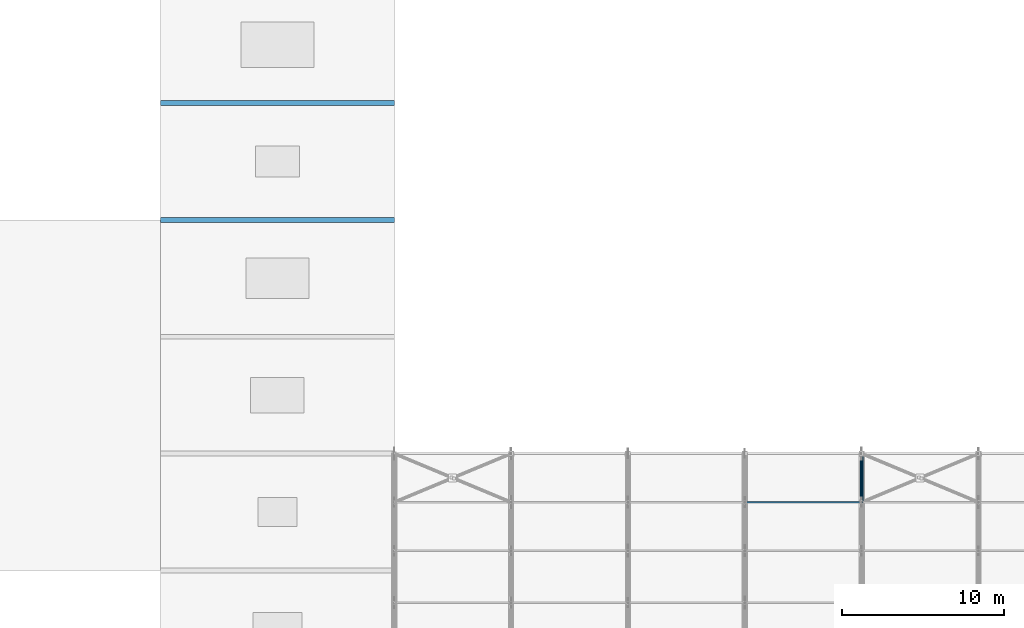
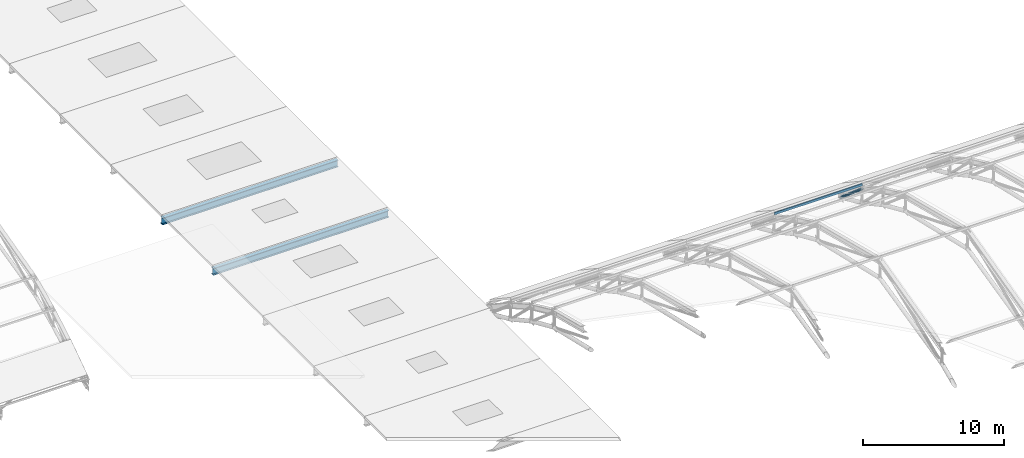
# One storey, part 24 of 63: 2 beams, 2 members.
"""IFC4 building model written with IfcOpenShell, lengths in metres."""

from ifc_helpers import new_model, si_unit, direction, frame, origin, origin_2d, place, context, subcontext, project, spatial, hollow_rectangle, hollow_circle, i_section, extrude, material, material_profile, profile_set, type_object, element, save


model = new_model("IFC4")

# Units and contexts
model_context = context("Model", 3, precision=1e-05, world=origin(), true_north=direction((0.0, 1.0)))
body_context = subcontext(model_context, "Body", "Model", "MODEL_VIEW")
ifc_project = project(units=[si_unit("LENGTHUNIT", "METRE"), si_unit("AREAUNIT", "SQUARE_METRE"), si_unit("VOLUMEUNIT", "CUBIC_METRE"), si_unit("PLANEANGLEUNIT", "RADIAN"), si_unit("MASSUNIT", "GRAM", prefix="KILO")], contexts=[model_context])

# Site, building, storey
site_placement = place(None, origin())
site = spatial("IfcSite", under=ifc_project, at=site_placement, CompositionType="ELEMENT")
building_placement = place(site_placement, origin())
building = spatial("IfcBuilding", under=site, at=building_placement, Name="Solvadek Multi-Sports Hall", CompositionType="ELEMENT")
storey_placement = place(building_placement, frame((0.0, 0.0, 19.199951171875)))
storey = spatial("IfcBuildingStorey", under=building, at=storey_placement, Name="RF", CompositionType="ELEMENT", Elevation=19.199951171875)

# Beams
ifc_material_1 = material(Name="Steel E350 (350 MPa)", Category="steel")
ifc_material_profile_1 = material_profile(ifc_material_1, i_section(OverallWidth=0.300048828125, OverallDepth=0.60009765625, WebThickness=0.015380859375, FlangeThickness=0.030029296875, at=origin_2d()), Name="WPB 600")
ifc_profile_set_1 = profile_set([ifc_material_profile_1], Name="Steel E350 (350 MPa)")
beam_type = type_object("IfcBeamType", Name="STR-BM-WPB600", PredefinedType="BEAM", material=ifc_profile_set_1)
for number, where, z_axis, x_axis, name in (
    (1, (72.0, 56.39990234375, -4.099853515625), (1.0, 0.0, 0.0), (0.0, 1.0, 0.0), "V3 Passage Portal Girder #7"),
    (2, (72.0, 63.60009765625, -4.099853515625), (1.0, 0.0, 0.0), (0.0, 1.0, 0.0), "V3 Passage Portal Girder #8"),
):
    element("IfcBeam", number, at=place(storey_placement, frame(where, z_axis=z_axis, x_axis=x_axis)), inside=storey, type_object=beam_type, Name=name, PredefinedType="BEAM", context=body_context, shape_type="SweptSolid", body=[
        extrude(i_section(OverallWidth=0.300048828125, OverallDepth=0.60009765625, WebThickness=0.015380859375, FlangeThickness=0.030029296875, at=origin_2d()), origin(), (0.0, 0.0, 1.0), 14.39990234375),
    ])

# Members
ifc_material_profile_2 = material_profile(ifc_material_1, hollow_circle(Radius=0.109619140625, WallThickness=0.010009765625, at=origin_2d()), Name="CHS 219.1x10")
ifc_profile_set_2 = profile_set([ifc_material_profile_2], Name="Steel E350 (350 MPa)")
member_type_1 = type_object("IfcMemberType", Name="STR-BRC-CHS219", PredefinedType="BRACE", material=ifc_profile_set_2)
member_1_placement = place(storey_placement, frame((115.199951171875, 39.0, -1.545654296875), z_axis=(0.0, 0.761413137307, -0.648266946818), x_axis=(-1.0, 0.0, 0.0)))
element("IfcMember", 3, at=member_1_placement, inside=storey, type_object=member_type_1, Name="v1 Truss 5 Web Diagonal 8", PredefinedType="BRACE", context=body_context, shape_type="SweptSolid", body=[
    extrude(hollow_circle(Radius=0.109619140625, WallThickness=0.010009765625, at=origin_2d()), origin(), (0.0, 0.0, 1.0), 3.93994140625),
])
ifc_material_2 = material(Name="Steel E250 (250 MPa)", Category="steel")
ifc_material_profile_3 = material_profile(ifc_material_2, hollow_rectangle(XDim=0.10009765625, YDim=0.199951171875, WallThickness=0.008056640625, at=origin_2d()), Name="RHS 200x100x8")
ifc_profile_set_3 = profile_set([ifc_material_profile_3], Name="Steel E250 (250 MPa)")
member_type_2 = type_object("IfcMemberType", Name="STR-PUR-RHS200", PredefinedType="PURLIN", material=ifc_profile_set_3)
member_2_placement = place(storey_placement, frame((108.0, 39.0, -1.171142578125), z_axis=(1.0, 0.0, 0.0), x_axis=(0.0, 1.0, 0.0)))
element("IfcMember", 4, at=member_2_placement, inside=storey, type_object=member_type_2, Name="V1 Roof Purlin #35", PredefinedType="PURLIN", context=body_context, shape_type="SweptSolid", body=[
    extrude(hollow_rectangle(XDim=0.10009765625, YDim=0.199951171875, WallThickness=0.008056640625, at=origin_2d()), origin(), (0.0, 0.0, 1.0), 7.199951171875),
])

save(model, "model.ifc")
